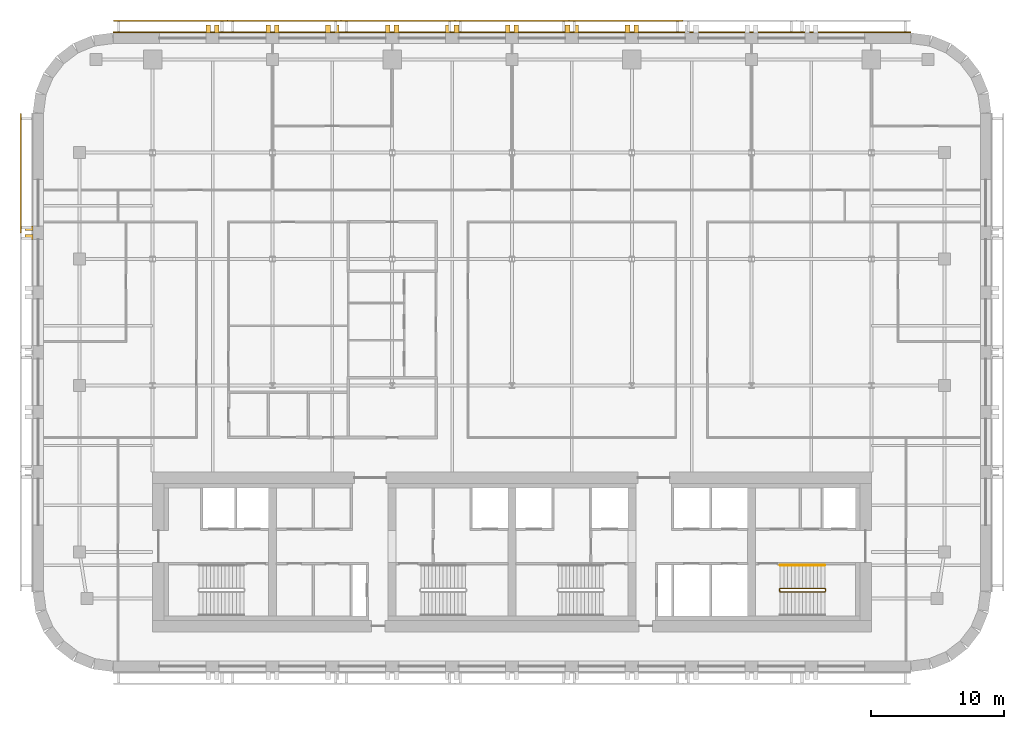
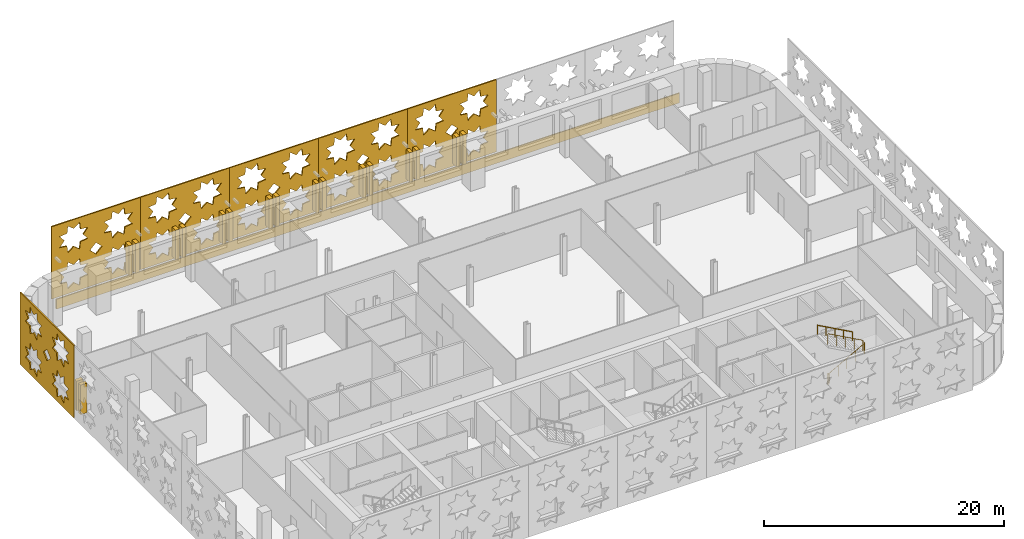
# One storey, part 12 of 13: 25 coverings, 2 railings.
"""IFC4 building model written with IfcOpenShell, lengths in metres."""

from ifc_helpers import new_model, si_unit, direction, frame, origin, origin_2d, place, context, subcontext, project, spatial, polyline, circle, outline, extrude, material, layer, layer_set, type_object, element, save


model = new_model("IFC4")

# Units and contexts
model_context = context("Model", 3, precision=1e-05, world=origin(), true_north=direction((0.0, 1.0)))
body_context = subcontext(model_context, "Body", "Model", "MODEL_VIEW")
ifc_project = project(units=[si_unit("LENGTHUNIT", "METRE"), si_unit("AREAUNIT", "SQUARE_METRE"), si_unit("VOLUMEUNIT", "CUBIC_METRE"), si_unit("PLANEANGLEUNIT", "RADIAN"), si_unit("MASSUNIT", "GRAM", prefix="KILO")], contexts=[model_context])

# Site, building, storey
site_placement = place(None, origin())
site = spatial("IfcSite", under=ifc_project, at=site_placement, CompositionType="ELEMENT")
building_placement = place(site_placement, origin())
building = spatial("IfcBuilding", under=site, at=building_placement, Name="Zellij Exchange Tower", CompositionType="ELEMENT")
storey_placement = place(building_placement, frame((0.0, 0.0, 172.5)))
storey = spatial("IfcBuildingStorey", under=building, at=storey_placement, Name="L39", CompositionType="ELEMENT", Elevation=172.5)

# Railings
ifc_material_1 = material(Name="Stainless steel", Category="steel")
railing_type_1 = type_object("IfcRailingType", Name="CORE-RG stair guard", PredefinedType="GUARDRAIL", material=ifc_material_1)
railing_1_placement = place(storey_placement, frame((20.10009765625, -10.949951171875, 0.0)))
element("IfcRailing", 1, at=railing_1_placement, inside=storey, type_object=railing_type_1, Name="ST4 stair guard L39", PredefinedType="GUARDRAIL", context=body_context, shape_type="SweptSolid", body=[
    extrude(circle(Radius=0.02392578125, at=origin_2d()), frame((0.0, 0.0, 1.076171875), z_axis=(0.0, 1.0, 0.0), x_axis=(-1.0, 0.0, 0.0)), (0.0, 0.0, 1.0), 0.14990234375),
    extrude(circle(Radius=0.02392578125, at=origin_2d()), frame((0.0, 0.14990234375, 1.076171875), z_axis=(0.193691321961, -0.777613689637, 0.598164376644), x_axis=(0.970351222016, 0.241699205484, 0.0)), (0.0, 0.0, 1.0), 0.257080078125),
    extrude(circle(Radius=0.02392578125, at=origin_2d()), frame((0.0498046875, -0.050048828125, 1.22998046875), z_axis=(0.876421534553, 0.0, 0.481544695509), x_axis=(0.0, 1.0, 0.0)), (0.0, 0.0, 1.0), 3.833984375),
    extrude(circle(Radius=0.02392578125, at=origin_2d()), frame((3.409912109375, -0.050048828125, 3.076171875), z_axis=(0.707106781187, 0.707106781187, 0.0), x_axis=(-0.707106781187, 0.707106781187, 0.0)), (0.0, 0.0, 1.0), 0.07080078125),
    extrude(circle(Radius=0.02392578125, at=origin_2d()), frame((3.4599609375, 0.0, 3.076171875), z_axis=(0.0, 1.0, 0.0), x_axis=(-1.0, 0.0, 0.0)), (0.0, 0.0, 1.0), 0.14990234375),
    extrude(circle(Radius=0.02392578125, at=origin_2d()), frame((3.4599609375, 0.14990234375, 3.076171875), z_axis=(-0.295599637079, 0.295599637079, 0.908428152975), x_axis=(-0.707106781187, -0.707106781187, 0.0)), (0.0, 0.0, 1.0), 0.16943359375),
    extrude(circle(Radius=0.02392578125, at=origin_2d()), frame((3.409912109375, 0.199951171875, 3.22998046875), z_axis=(-0.876421534553, 0.0, 0.481544695509), x_axis=(0.0, -1.0, 0.0)), (0.0, 0.0, 1.0), 3.833984375),
    extrude(circle(Radius=0.02099609375, at=origin_2d()), origin(), (0.0, 0.0, 1.0), 1.052001953125),
    extrude(circle(Radius=0.02099609375, at=origin_2d()), frame((0.0, 0.14990234375, 0.0)), (0.0, 0.0, 1.0), 1.052001953125),
    extrude(circle(Radius=0.02099609375, at=origin_2d()), frame((0.0498046875, -0.050048828125, 0.15380859375)), (0.0, 0.0, 1.0), 1.052001953125),
    extrude(circle(Radius=0.02099609375, at=origin_2d()), frame((0.889892578125, -0.050048828125, 0.615234375)), (0.0, 0.0, 1.0), 1.052001953125),
    extrude(circle(Radius=0.02099609375, at=origin_2d()), frame((1.72998046875, -0.050048828125, 1.076904296875)), (0.0, 0.0, 1.0), 1.052001953125),
    extrude(circle(Radius=0.02099609375, at=origin_2d()), frame((2.56982421875, -0.050048828125, 1.53857421875)), (0.0, 0.0, 1.0), 1.052001953125),
    extrude(circle(Radius=0.02099609375, at=origin_2d()), frame((3.409912109375, -0.050048828125, 2.0)), (0.0, 0.0, 1.0), 1.052001953125),
    extrude(circle(Radius=0.02099609375, at=origin_2d()), frame((3.4599609375, 0.0, 2.0)), (0.0, 0.0, 1.0), 1.052001953125),
    extrude(circle(Radius=0.02099609375, at=origin_2d()), frame((3.4599609375, 0.14990234375, 2.0)), (0.0, 0.0, 1.0), 1.052001953125),
    extrude(circle(Radius=0.02099609375, at=origin_2d()), frame((3.409912109375, 0.199951171875, 2.15380859375)), (0.0, 0.0, 1.0), 1.052001953125),
    extrude(circle(Radius=0.02099609375, at=origin_2d()), frame((2.56982421875, 0.199951171875, 2.615234375)), (0.0, 0.0, 1.0), 1.052001953125),
    extrude(circle(Radius=0.02099609375, at=origin_2d()), frame((1.72998046875, 0.199951171875, 3.076904296875)), (0.0, 0.0, 1.0), 1.052001953125),
    extrude(circle(Radius=0.02099609375, at=origin_2d()), frame((0.889892578125, 0.199951171875, 3.53857421875)), (0.0, 0.0, 1.0), 1.052001953125),
    extrude(circle(Radius=0.02099609375, at=origin_2d()), frame((0.0498046875, 0.199951171875, 4.0)), (0.0, 0.0, 1.0), 1.052001953125),
])
railing_type_2 = type_object("IfcRailingType", Name="CORE-RH stair handrail", PredefinedType="HANDRAIL", material=ifc_material_1)
railing_2_placement = place(storey_placement, frame((23.510009765625, -9.0, 2.15380859375)))
element("IfcRailing", 2, at=railing_2_placement, inside=storey, type_object=railing_type_2, Name="ST4 stair handrail L39", PredefinedType="HANDRAIL", context=body_context, shape_type="SweptSolid", body=[
    extrude(circle(Radius=0.02392578125, at=origin_2d()), frame((0.0, 0.0, 0.8759765625), z_axis=(-0.876421534553, 0.0, 0.481544695509), x_axis=(0.0, -1.0, 0.0)), (0.0, 0.0, 1.0), 3.833984375),
    extrude(circle(Radius=0.02099609375, at=origin_2d()), origin(), (0.0, 0.0, 1.0), 0.851806640625),
    extrude(circle(Radius=0.02099609375, at=origin_2d()), frame((-0.840087890625, 0.0, 0.46142578125)), (0.0, 0.0, 1.0), 0.851806640625),
    extrude(circle(Radius=0.02099609375, at=origin_2d()), frame((-1.68017578125, 0.0, 0.923095703125)), (0.0, 0.0, 1.0), 0.851806640625),
    extrude(circle(Radius=0.02099609375, at=origin_2d()), frame((-2.52001953125, 0.0, 1.384765625)), (0.0, 0.0, 1.0), 0.851806640625),
    extrude(circle(Radius=0.02099609375, at=origin_2d()), frame((-3.360107421875, 0.0, 1.84619140625)), (0.0, 0.0, 1.0), 0.851806640625),
])

# Coverings
ifc_material_2 = material(Name="Limestone cladding", Category="masonry")
covering_type_1 = type_object("IfcCoveringType", Name="ENV-CV3 Stone pier 350x600", PredefinedType="CLADDING", material=ifc_material_2)
covering_1_placement = place(storey_placement, frame((0.0, 0.0, 0.800048828125)))
element("IfcCovering", 3, at=covering_1_placement, inside=storey, type_object=covering_type_1, Name="Stone pier", PredefinedType="CLADDING", context=body_context, shape_type="SweptSolid", body=[
    extrude(outline(polyline([(9.5, 31.0), (9.14990234375, 31.0), (9.14990234375, 31.60009765625), (9.5, 31.60009765625), (9.5, 31.0)])), origin(), (0.0, 0.0, 1.0), 3.0),
])
covering_2_placement = place(storey_placement, frame((0.0, 0.0, 0.800048828125)))
element("IfcCovering", 4, at=covering_2_placement, inside=storey, type_object=covering_type_1, Name="Stone pier", PredefinedType="CLADDING", context=body_context, shape_type="SweptSolid", body=[
    extrude(outline(polyline([(8.85009765625, 31.0), (8.5, 31.0), (8.5, 31.60009765625), (8.85009765625, 31.60009765625), (8.85009765625, 31.0)])), origin(), (0.0, 0.0, 1.0), 3.0),
])
covering_3_placement = place(storey_placement, frame((0.0, 0.0, 0.800048828125)))
element("IfcCovering", 5, at=covering_3_placement, inside=storey, type_object=covering_type_1, Name="Stone pier", PredefinedType="CLADDING", context=body_context, shape_type="SweptSolid", body=[
    extrude(outline(polyline([(5.0, 31.0), (4.64990234375, 31.0), (4.64990234375, 31.60009765625), (5.0, 31.60009765625), (5.0, 31.0)])), origin(), (0.0, 0.0, 1.0), 3.0),
])
covering_4_placement = place(storey_placement, frame((0.0, 0.0, 0.800048828125)))
element("IfcCovering", 6, at=covering_4_placement, inside=storey, type_object=covering_type_1, Name="Stone pier", PredefinedType="CLADDING", context=body_context, shape_type="SweptSolid", body=[
    extrude(outline(polyline([(4.35009765625, 31.0), (4.0, 31.0), (4.0, 31.60009765625), (4.35009765625, 31.60009765625), (4.35009765625, 31.0)])), origin(), (0.0, 0.0, 1.0), 3.0),
])
covering_5_placement = place(storey_placement, frame((0.0, 0.0, 0.800048828125)))
element("IfcCovering", 7, at=covering_5_placement, inside=storey, type_object=covering_type_1, Name="Stone pier", PredefinedType="CLADDING", context=body_context, shape_type="SweptSolid", body=[
    extrude(outline(polyline([(0.5, 31.0), (0.14990234375, 31.0), (0.14990234375, 31.60009765625), (0.5, 31.60009765625), (0.5, 31.0)])), origin(), (0.0, 0.0, 1.0), 3.0),
])
covering_6_placement = place(storey_placement, frame((0.0, 0.0, 0.800048828125)))
element("IfcCovering", 8, at=covering_6_placement, inside=storey, type_object=covering_type_1, Name="Stone pier", PredefinedType="CLADDING", context=body_context, shape_type="SweptSolid", body=[
    extrude(outline(polyline([(-0.14990234375, 31.0), (-0.5, 31.0), (-0.5, 31.60009765625), (-0.14990234375, 31.60009765625), (-0.14990234375, 31.0)])), origin(), (0.0, 0.0, 1.0), 3.0),
])
covering_7_placement = place(storey_placement, frame((0.0, 0.0, 0.800048828125)))
element("IfcCovering", 9, at=covering_7_placement, inside=storey, type_object=covering_type_1, Name="Stone pier", PredefinedType="CLADDING", context=body_context, shape_type="SweptSolid", body=[
    extrude(outline(polyline([(-4.0, 31.0), (-4.35009765625, 31.0), (-4.35009765625, 31.60009765625), (-4.0, 31.60009765625), (-4.0, 31.0)])), origin(), (0.0, 0.0, 1.0), 3.0),
])
covering_8_placement = place(storey_placement, frame((0.0, 0.0, 0.800048828125)))
element("IfcCovering", 10, at=covering_8_placement, inside=storey, type_object=covering_type_1, Name="Stone pier", PredefinedType="CLADDING", context=body_context, shape_type="SweptSolid", body=[
    extrude(outline(polyline([(-4.64990234375, 31.0), (-5.0, 31.0), (-5.0, 31.60009765625), (-4.64990234375, 31.60009765625), (-4.64990234375, 31.0)])), origin(), (0.0, 0.0, 1.0), 3.0),
])
covering_9_placement = place(storey_placement, frame((0.0, 0.0, 0.800048828125)))
element("IfcCovering", 11, at=covering_9_placement, inside=storey, type_object=covering_type_1, Name="Stone pier", PredefinedType="CLADDING", context=body_context, shape_type="SweptSolid", body=[
    extrude(outline(polyline([(-8.5, 31.0), (-8.85009765625, 31.0), (-8.85009765625, 31.60009765625), (-8.5, 31.60009765625), (-8.5, 31.0)])), origin(), (0.0, 0.0, 1.0), 3.0),
])
covering_10_placement = place(storey_placement, frame((0.0, 0.0, 0.800048828125)))
element("IfcCovering", 12, at=covering_10_placement, inside=storey, type_object=covering_type_1, Name="Stone pier", PredefinedType="CLADDING", context=body_context, shape_type="SweptSolid", body=[
    extrude(outline(polyline([(-9.14990234375, 31.0), (-9.5, 31.0), (-9.5, 31.60009765625), (-9.14990234375, 31.60009765625), (-9.14990234375, 31.0)])), origin(), (0.0, 0.0, 1.0), 3.0),
])
covering_11_placement = place(storey_placement, frame((0.0, 0.0, 0.800048828125)))
element("IfcCovering", 13, at=covering_11_placement, inside=storey, type_object=covering_type_1, Name="Stone pier", PredefinedType="CLADDING", context=body_context, shape_type="SweptSolid", body=[
    extrude(outline(polyline([(-13.0, 31.0), (-13.35009765625, 31.0), (-13.35009765625, 31.60009765625), (-13.0, 31.60009765625), (-13.0, 31.0)])), origin(), (0.0, 0.0, 1.0), 3.0),
])
covering_12_placement = place(storey_placement, frame((0.0, 0.0, 0.800048828125)))
element("IfcCovering", 14, at=covering_12_placement, inside=storey, type_object=covering_type_1, Name="Stone pier", PredefinedType="CLADDING", context=body_context, shape_type="SweptSolid", body=[
    extrude(outline(polyline([(-13.64990234375, 31.0), (-14.0, 31.0), (-14.0, 31.60009765625), (-13.64990234375, 31.60009765625), (-13.64990234375, 31.0)])), origin(), (0.0, 0.0, 1.0), 3.0),
])
covering_13_placement = place(storey_placement, frame((0.0, 0.0, 0.800048828125)))
element("IfcCovering", 15, at=covering_13_placement, inside=storey, type_object=covering_type_1, Name="Stone pier", PredefinedType="CLADDING", context=body_context, shape_type="SweptSolid", body=[
    extrude(outline(polyline([(-17.5, 31.0), (-17.85009765625, 31.0), (-17.85009765625, 31.60009765625), (-17.5, 31.60009765625), (-17.5, 31.0)])), origin(), (0.0, 0.0, 1.0), 3.0),
])
covering_14_placement = place(storey_placement, frame((0.0, 0.0, 0.800048828125)))
element("IfcCovering", 16, at=covering_14_placement, inside=storey, type_object=covering_type_1, Name="Stone pier", PredefinedType="CLADDING", context=body_context, shape_type="SweptSolid", body=[
    extrude(outline(polyline([(-18.14990234375, 31.0), (-18.5, 31.0), (-18.5, 31.60009765625), (-18.14990234375, 31.60009765625), (-18.14990234375, 31.0)])), origin(), (0.0, 0.0, 1.0), 3.0),
])
covering_15_placement = place(storey_placement, frame((0.0, 0.0, 0.800048828125)))
element("IfcCovering", 17, at=covering_15_placement, inside=storey, type_object=covering_type_1, Name="Stone pier", PredefinedType="CLADDING", context=body_context, shape_type="SweptSolid", body=[
    extrude(outline(polyline([(-22.0, 31.0), (-22.35009765625, 31.0), (-22.35009765625, 31.60009765625), (-22.0, 31.60009765625), (-22.0, 31.0)])), origin(), (0.0, 0.0, 1.0), 3.0),
])
covering_16_placement = place(storey_placement, frame((0.0, 0.0, 0.800048828125)))
element("IfcCovering", 18, at=covering_16_placement, inside=storey, type_object=covering_type_1, Name="Stone pier", PredefinedType="CLADDING", context=body_context, shape_type="SweptSolid", body=[
    extrude(outline(polyline([(-22.64990234375, 31.0), (-23.0, 31.0), (-23.0, 31.60009765625), (-22.64990234375, 31.60009765625), (-22.64990234375, 31.0)])), origin(), (0.0, 0.0, 1.0), 3.0),
])
covering_17_placement = place(storey_placement, frame((0.0, 0.0, 0.800048828125)))
element("IfcCovering", 19, at=covering_17_placement, inside=storey, type_object=covering_type_1, Name="Stone pier", PredefinedType="CLADDING", context=body_context, shape_type="SweptSolid", body=[
    extrude(outline(polyline([(-36.0, 16.48681640625), (-36.0, 16.136962890625), (-36.60009765625, 16.136962890625), (-36.60009765625, 16.48681640625), (-36.0, 16.48681640625)])), origin(), (0.0, 0.0, 1.0), 3.0),
])
covering_18_placement = place(storey_placement, frame((0.0, 0.0, 0.800048828125)))
element("IfcCovering", 20, at=covering_18_placement, inside=storey, type_object=covering_type_1, Name="Stone pier", PredefinedType="CLADDING", context=body_context, shape_type="SweptSolid", body=[
    extrude(outline(polyline([(-36.0, 15.8369140625), (-36.0, 15.48681640625), (-36.60009765625, 15.48681640625), (-36.60009765625, 15.8369140625), (-36.0, 15.8369140625)])), origin(), (0.0, 0.0, 1.0), 3.0),
])
ifc_layer_1 = layer(ifc_material_2, 0.10009765625)
ifc_layer_set_1 = layer_set([ifc_layer_1], Name="Limestone cladding")
covering_type_2 = type_object("IfcCoveringType", Name="ENV-CV9 Stone spandrel band 100", PredefinedType="CLADDING", material=ifc_layer_set_1)
covering_19_placement = place(storey_placement, frame((0.0, 0.0, -0.199951171875)))
element("IfcCovering", 21, at=covering_19_placement, inside=storey, type_object=covering_type_2, Name="Stone spandrel band", PredefinedType="CLADDING", context=body_context, shape_type="SweptSolid", body=[
    extrude(outline(polyline([(29.973876953125, 31.0), (-29.973876953125, 31.0), (-29.980224609375, 31.10009765625), (29.980224609375, 31.10009765625), (29.973876953125, 31.0)])), origin(), (0.0, 0.0, 1.0), 1.0),
])
ifc_material_3 = material(Name="Limestone screen", Category="masonry")
ifc_layer_2 = layer(ifc_material_3, 0.1201171875)
ifc_layer_set_2 = layer_set([ifc_layer_2], Name="Limestone screen")
covering_type_3 = type_object("IfcCoveringType", Name="ENV-SC1 Pierced stone screen 120", PredefinedType="USERDEFINED", material=ifc_layer_set_2)
covering_20_placement = place(storey_placement, frame((-36.909912109375, 24.947509765625, 0.300048828125), z_axis=(0.0, 0.0, 1.0), x_axis=(0.0, -1.0, 0.0)))
element("IfcCovering", 22, at=covering_20_placement, inside=storey, type_object=covering_type_3, Name="Pierced stone screen", ObjectType="SCREEN", PredefinedType="USERDEFINED", context=body_context, shape_type="SweptSolid", body=[
    extrude(outline(polyline([(0.0, 0.0), (8.973876953125, 0.0), (8.973876953125, 7.35009765625), (0.0, 7.35009765625), (0.0, 0.0)]), holes=[polyline([(3.6015625, 2.39990234375), (2.887939453125, 2.48193359375), (2.805908203125, 3.195556640625), (2.243408203125, 2.748779296875), (1.680908203125, 3.195556640625), (1.59912109375, 2.48193359375), (0.88525390625, 2.39990234375), (1.33203125, 1.83740234375), (0.88525390625, 1.27490234375), (1.59912109375, 1.193115234375), (1.680908203125, 0.4794921875), (2.243408203125, 0.926025390625), (2.805908203125, 0.4794921875), (2.887939453125, 1.193115234375), (3.6015625, 1.27490234375), (3.15478515625, 1.83740234375), (3.6015625, 2.39990234375)]), polyline([(3.6015625, 6.074951171875), (2.887939453125, 6.156982421875), (2.805908203125, 6.87060546875), (2.243408203125, 6.423828125), (1.680908203125, 6.87060546875), (1.59912109375, 6.156982421875), (0.88525390625, 6.074951171875), (1.33203125, 5.512451171875), (0.88525390625, 4.949951171875), (1.59912109375, 4.867919921875), (1.680908203125, 4.154296875), (2.243408203125, 4.60107421875), (2.805908203125, 4.154296875), (2.887939453125, 4.867919921875), (3.6015625, 4.949951171875), (3.15478515625, 5.512451171875), (3.6015625, 6.074951171875)]), polyline([(8.08837890625, 2.39990234375), (7.374755859375, 2.48193359375), (7.29296875, 3.195556640625), (6.730224609375, 2.748779296875), (6.167724609375, 3.195556640625), (6.0859375, 2.48193359375), (5.372314453125, 2.39990234375), (5.81884765625, 1.83740234375), (5.372314453125, 1.27490234375), (6.0859375, 1.193115234375), (6.167724609375, 0.4794921875), (6.730224609375, 0.926025390625), (7.29296875, 0.4794921875), (7.374755859375, 1.193115234375), (8.08837890625, 1.27490234375), (7.6416015625, 1.83740234375), (8.08837890625, 2.39990234375)]), polyline([(8.08837890625, 6.074951171875), (7.374755859375, 6.156982421875), (7.29296875, 6.87060546875), (6.730224609375, 6.423828125), (6.167724609375, 6.87060546875), (6.0859375, 6.156982421875), (5.372314453125, 6.074951171875), (5.81884765625, 5.512451171875), (5.372314453125, 4.949951171875), (6.0859375, 4.867919921875), (6.167724609375, 4.154296875), (6.730224609375, 4.60107421875), (7.29296875, 4.154296875), (7.374755859375, 4.867919921875), (8.08837890625, 4.949951171875), (7.6416015625, 5.512451171875), (8.08837890625, 6.074951171875)]), polyline([(5.074951171875, 3.675048828125), (4.48681640625, 4.262939453125), (3.89892578125, 3.675048828125), (4.48681640625, 3.0869140625), (5.074951171875, 3.675048828125)])]), frame((0.0, 0.06005859375, 0.0), z_axis=(0.0, -1.0, 0.0), x_axis=(1.0, 0.0, 0.0)), (0.0, 0.0, 1.0), 0.1201171875),
])
covering_21_placement = place(storey_placement, frame((12.834716796875, 31.909912109375, 0.300048828125), z_axis=(0.0, 0.0, 1.0), x_axis=(-1.0, 0.0, 0.0)))
element("IfcCovering", 23, at=covering_21_placement, inside=storey, type_object=covering_type_3, Name="Pierced stone screen", ObjectType="SCREEN", PredefinedType="USERDEFINED", context=body_context, shape_type="SweptSolid", body=[
    extrude(outline(polyline([(0.0, 0.0), (8.556396484375, 0.0), (8.556396484375, 7.35009765625), (0.0, 7.35009765625), (0.0, 0.0)]), holes=[polyline([(3.497314453125, 2.39990234375), (2.78369140625, 2.48193359375), (2.70166015625, 3.195556640625), (2.13916015625, 2.748779296875), (1.57666015625, 3.195556640625), (1.49462890625, 2.48193359375), (0.781005859375, 2.39990234375), (1.227783203125, 1.83740234375), (0.781005859375, 1.27490234375), (1.49462890625, 1.193115234375), (1.57666015625, 0.4794921875), (2.13916015625, 0.926025390625), (2.70166015625, 0.4794921875), (2.78369140625, 1.193115234375), (3.497314453125, 1.27490234375), (3.050537109375, 1.83740234375), (3.497314453125, 2.39990234375)]), polyline([(3.497314453125, 6.074951171875), (2.78369140625, 6.156982421875), (2.70166015625, 6.87060546875), (2.13916015625, 6.423828125), (1.57666015625, 6.87060546875), (1.49462890625, 6.156982421875), (0.781005859375, 6.074951171875), (1.227783203125, 5.512451171875), (0.781005859375, 4.949951171875), (1.49462890625, 4.867919921875), (1.57666015625, 4.154296875), (2.13916015625, 4.60107421875), (2.70166015625, 4.154296875), (2.78369140625, 4.867919921875), (3.497314453125, 4.949951171875), (3.050537109375, 5.512451171875), (3.497314453125, 6.074951171875)]), polyline([(7.775390625, 2.39990234375), (7.061767578125, 2.48193359375), (6.97998046875, 3.195556640625), (6.417236328125, 2.748779296875), (5.854736328125, 3.195556640625), (5.77294921875, 2.48193359375), (5.05908203125, 2.39990234375), (5.505859375, 1.83740234375), (5.05908203125, 1.27490234375), (5.77294921875, 1.193115234375), (5.854736328125, 0.4794921875), (6.417236328125, 0.926025390625), (6.97998046875, 0.4794921875), (7.061767578125, 1.193115234375), (7.775390625, 1.27490234375), (7.32861328125, 1.83740234375), (7.775390625, 2.39990234375)]), polyline([(7.775390625, 6.074951171875), (7.061767578125, 6.156982421875), (6.97998046875, 6.87060546875), (6.417236328125, 6.423828125), (5.854736328125, 6.87060546875), (5.77294921875, 6.156982421875), (5.05908203125, 6.074951171875), (5.505859375, 5.512451171875), (5.05908203125, 4.949951171875), (5.77294921875, 4.867919921875), (5.854736328125, 4.154296875), (6.417236328125, 4.60107421875), (6.97998046875, 4.154296875), (7.061767578125, 4.867919921875), (7.775390625, 4.949951171875), (7.32861328125, 5.512451171875), (7.775390625, 6.074951171875)]), polyline([(4.8662109375, 3.675048828125), (4.2783203125, 4.262939453125), (3.690185546875, 3.675048828125), (4.2783203125, 3.0869140625), (4.8662109375, 3.675048828125)])]), frame((0.0, 0.06005859375, 0.0), z_axis=(0.0, -1.0, 0.0), x_axis=(1.0, 0.0, 0.0)), (0.0, 0.0, 1.0), 0.1201171875),
])
covering_22_placement = place(storey_placement, frame((4.2783203125, 31.909912109375, 0.300048828125), z_axis=(0.0, 0.0, 1.0), x_axis=(-1.0, 0.0, 0.0)))
element("IfcCovering", 24, at=covering_22_placement, inside=storey, type_object=covering_type_3, Name="Pierced stone screen", ObjectType="SCREEN", PredefinedType="USERDEFINED", context=body_context, shape_type="SweptSolid", body=[
    extrude(outline(polyline([(0.0, 0.0), (8.556396484375, 0.0), (8.556396484375, 7.35009765625), (0.0, 7.35009765625), (0.0, 0.0)]), holes=[polyline([(3.497314453125, 2.39990234375), (2.78369140625, 2.48193359375), (2.70166015625, 3.195556640625), (2.13916015625, 2.748779296875), (1.57666015625, 3.195556640625), (1.49462890625, 2.48193359375), (0.781005859375, 2.39990234375), (1.227783203125, 1.83740234375), (0.781005859375, 1.27490234375), (1.49462890625, 1.193115234375), (1.57666015625, 0.4794921875), (2.13916015625, 0.926025390625), (2.70166015625, 0.4794921875), (2.78369140625, 1.193115234375), (3.497314453125, 1.27490234375), (3.050537109375, 1.83740234375), (3.497314453125, 2.39990234375)]), polyline([(3.497314453125, 6.074951171875), (2.78369140625, 6.156982421875), (2.70166015625, 6.87060546875), (2.13916015625, 6.423828125), (1.57666015625, 6.87060546875), (1.49462890625, 6.156982421875), (0.781005859375, 6.074951171875), (1.227783203125, 5.512451171875), (0.781005859375, 4.949951171875), (1.49462890625, 4.867919921875), (1.57666015625, 4.154296875), (2.13916015625, 4.60107421875), (2.70166015625, 4.154296875), (2.78369140625, 4.867919921875), (3.497314453125, 4.949951171875), (3.050537109375, 5.512451171875), (3.497314453125, 6.074951171875)]), polyline([(7.775390625, 2.39990234375), (7.061767578125, 2.48193359375), (6.97998046875, 3.195556640625), (6.417236328125, 2.748779296875), (5.854736328125, 3.195556640625), (5.77294921875, 2.48193359375), (5.05908203125, 2.39990234375), (5.505859375, 1.83740234375), (5.05908203125, 1.27490234375), (5.77294921875, 1.193115234375), (5.854736328125, 0.4794921875), (6.417236328125, 0.926025390625), (6.97998046875, 0.4794921875), (7.061767578125, 1.193115234375), (7.775390625, 1.27490234375), (7.32861328125, 1.83740234375), (7.775390625, 2.39990234375)]), polyline([(7.775390625, 6.074951171875), (7.061767578125, 6.156982421875), (6.97998046875, 6.87060546875), (6.417236328125, 6.423828125), (5.854736328125, 6.87060546875), (5.77294921875, 6.156982421875), (5.05908203125, 6.074951171875), (5.505859375, 5.512451171875), (5.05908203125, 4.949951171875), (5.77294921875, 4.867919921875), (5.854736328125, 4.154296875), (6.417236328125, 4.60107421875), (6.97998046875, 4.154296875), (7.061767578125, 4.867919921875), (7.775390625, 4.949951171875), (7.32861328125, 5.512451171875), (7.775390625, 6.074951171875)]), polyline([(4.8662109375, 3.675048828125), (4.2783203125, 4.262939453125), (3.690185546875, 3.675048828125), (4.2783203125, 3.0869140625), (4.8662109375, 3.675048828125)])]), frame((0.0, 0.06005859375, 0.0), z_axis=(0.0, -1.0, 0.0), x_axis=(1.0, 0.0, 0.0)), (0.0, 0.0, 1.0), 0.1201171875),
])
covering_23_placement = place(storey_placement, frame((-4.2783203125, 31.909912109375, 0.300048828125), z_axis=(0.0, 0.0, 1.0), x_axis=(-1.0, 0.0, 0.0)))
element("IfcCovering", 25, at=covering_23_placement, inside=storey, type_object=covering_type_3, Name="Pierced stone screen", ObjectType="SCREEN", PredefinedType="USERDEFINED", context=body_context, shape_type="SweptSolid", body=[
    extrude(outline(polyline([(0.0, 0.0), (8.556396484375, 0.0), (8.556396484375, 7.35009765625), (0.0, 7.35009765625), (0.0, 0.0)]), holes=[polyline([(3.497314453125, 2.39990234375), (2.78369140625, 2.48193359375), (2.70166015625, 3.195556640625), (2.13916015625, 2.748779296875), (1.57666015625, 3.195556640625), (1.49462890625, 2.48193359375), (0.781005859375, 2.39990234375), (1.227783203125, 1.83740234375), (0.781005859375, 1.27490234375), (1.49462890625, 1.193115234375), (1.57666015625, 0.4794921875), (2.13916015625, 0.926025390625), (2.70166015625, 0.4794921875), (2.78369140625, 1.193115234375), (3.497314453125, 1.27490234375), (3.050537109375, 1.83740234375), (3.497314453125, 2.39990234375)]), polyline([(3.497314453125, 6.074951171875), (2.78369140625, 6.156982421875), (2.70166015625, 6.87060546875), (2.13916015625, 6.423828125), (1.57666015625, 6.87060546875), (1.49462890625, 6.156982421875), (0.781005859375, 6.074951171875), (1.227783203125, 5.512451171875), (0.781005859375, 4.949951171875), (1.49462890625, 4.867919921875), (1.57666015625, 4.154296875), (2.13916015625, 4.60107421875), (2.70166015625, 4.154296875), (2.78369140625, 4.867919921875), (3.497314453125, 4.949951171875), (3.050537109375, 5.512451171875), (3.497314453125, 6.074951171875)]), polyline([(7.775390625, 2.39990234375), (7.061767578125, 2.48193359375), (6.97998046875, 3.195556640625), (6.417236328125, 2.748779296875), (5.854736328125, 3.195556640625), (5.77294921875, 2.48193359375), (5.05908203125, 2.39990234375), (5.505859375, 1.83740234375), (5.05908203125, 1.27490234375), (5.77294921875, 1.193115234375), (5.854736328125, 0.4794921875), (6.417236328125, 0.926025390625), (6.97998046875, 0.4794921875), (7.061767578125, 1.193115234375), (7.775390625, 1.27490234375), (7.32861328125, 1.83740234375), (7.775390625, 2.39990234375)]), polyline([(7.775390625, 6.074951171875), (7.061767578125, 6.156982421875), (6.97998046875, 6.87060546875), (6.417236328125, 6.423828125), (5.854736328125, 6.87060546875), (5.77294921875, 6.156982421875), (5.05908203125, 6.074951171875), (5.505859375, 5.512451171875), (5.05908203125, 4.949951171875), (5.77294921875, 4.867919921875), (5.854736328125, 4.154296875), (6.417236328125, 4.60107421875), (6.97998046875, 4.154296875), (7.061767578125, 4.867919921875), (7.775390625, 4.949951171875), (7.32861328125, 5.512451171875), (7.775390625, 6.074951171875)]), polyline([(4.8662109375, 3.675048828125), (4.2783203125, 4.262939453125), (3.690185546875, 3.675048828125), (4.2783203125, 3.0869140625), (4.8662109375, 3.675048828125)])]), frame((0.0, 0.06005859375, 0.0), z_axis=(0.0, -1.0, 0.0), x_axis=(1.0, 0.0, 0.0)), (0.0, 0.0, 1.0), 0.1201171875),
])
covering_24_placement = place(storey_placement, frame((-12.834716796875, 31.909912109375, 0.300048828125), z_axis=(0.0, 0.0, 1.0), x_axis=(-1.0, 0.0, 0.0)))
element("IfcCovering", 26, at=covering_24_placement, inside=storey, type_object=covering_type_3, Name="Pierced stone screen", ObjectType="SCREEN", PredefinedType="USERDEFINED", context=body_context, shape_type="SweptSolid", body=[
    extrude(outline(polyline([(0.0, 0.0), (8.556396484375, 0.0), (8.556396484375, 7.35009765625), (0.0, 7.35009765625), (0.0, 0.0)]), holes=[polyline([(3.497314453125, 2.39990234375), (2.78369140625, 2.48193359375), (2.70166015625, 3.195556640625), (2.13916015625, 2.748779296875), (1.57666015625, 3.195556640625), (1.49462890625, 2.48193359375), (0.781005859375, 2.39990234375), (1.227783203125, 1.83740234375), (0.781005859375, 1.27490234375), (1.49462890625, 1.193115234375), (1.57666015625, 0.4794921875), (2.13916015625, 0.926025390625), (2.70166015625, 0.4794921875), (2.78369140625, 1.193115234375), (3.497314453125, 1.27490234375), (3.050537109375, 1.83740234375), (3.497314453125, 2.39990234375)]), polyline([(3.497314453125, 6.074951171875), (2.78369140625, 6.156982421875), (2.70166015625, 6.87060546875), (2.13916015625, 6.423828125), (1.57666015625, 6.87060546875), (1.49462890625, 6.156982421875), (0.781005859375, 6.074951171875), (1.227783203125, 5.512451171875), (0.781005859375, 4.949951171875), (1.49462890625, 4.867919921875), (1.57666015625, 4.154296875), (2.13916015625, 4.60107421875), (2.70166015625, 4.154296875), (2.78369140625, 4.867919921875), (3.497314453125, 4.949951171875), (3.050537109375, 5.512451171875), (3.497314453125, 6.074951171875)]), polyline([(7.775390625, 2.39990234375), (7.061767578125, 2.48193359375), (6.97998046875, 3.195556640625), (6.417236328125, 2.748779296875), (5.854736328125, 3.195556640625), (5.77294921875, 2.48193359375), (5.05908203125, 2.39990234375), (5.505859375, 1.83740234375), (5.05908203125, 1.27490234375), (5.77294921875, 1.193115234375), (5.854736328125, 0.4794921875), (6.417236328125, 0.926025390625), (6.97998046875, 0.4794921875), (7.061767578125, 1.193115234375), (7.775390625, 1.27490234375), (7.32861328125, 1.83740234375), (7.775390625, 2.39990234375)]), polyline([(7.775390625, 6.074951171875), (7.061767578125, 6.156982421875), (6.97998046875, 6.87060546875), (6.417236328125, 6.423828125), (5.854736328125, 6.87060546875), (5.77294921875, 6.156982421875), (5.05908203125, 6.074951171875), (5.505859375, 5.512451171875), (5.05908203125, 4.949951171875), (5.77294921875, 4.867919921875), (5.854736328125, 4.154296875), (6.417236328125, 4.60107421875), (6.97998046875, 4.154296875), (7.061767578125, 4.867919921875), (7.775390625, 4.949951171875), (7.32861328125, 5.512451171875), (7.775390625, 6.074951171875)]), polyline([(4.8662109375, 3.675048828125), (4.2783203125, 4.262939453125), (3.690185546875, 3.675048828125), (4.2783203125, 3.0869140625), (4.8662109375, 3.675048828125)])]), frame((0.0, 0.06005859375, 0.0), z_axis=(0.0, -1.0, 0.0), x_axis=(1.0, 0.0, 0.0)), (0.0, 0.0, 1.0), 0.1201171875),
])
covering_25_placement = place(storey_placement, frame((-21.39111328125, 31.909912109375, 0.300048828125), z_axis=(0.0, 0.0, 1.0), x_axis=(-1.0, 0.0, 0.0)))
element("IfcCovering", 27, at=covering_25_placement, inside=storey, type_object=covering_type_3, Name="Pierced stone screen", ObjectType="SCREEN", PredefinedType="USERDEFINED", context=body_context, shape_type="SweptSolid", body=[
    extrude(outline(polyline([(0.0, 0.0), (8.556396484375, 0.0), (8.556396484375, 7.35009765625), (0.0, 7.35009765625), (0.0, 0.0)]), holes=[polyline([(3.497314453125, 2.39990234375), (2.78369140625, 2.48193359375), (2.70166015625, 3.195556640625), (2.13916015625, 2.748779296875), (1.57666015625, 3.195556640625), (1.49462890625, 2.48193359375), (0.781005859375, 2.39990234375), (1.227783203125, 1.83740234375), (0.781005859375, 1.27490234375), (1.49462890625, 1.193115234375), (1.57666015625, 0.4794921875), (2.13916015625, 0.926025390625), (2.70166015625, 0.4794921875), (2.78369140625, 1.193115234375), (3.497314453125, 1.27490234375), (3.050537109375, 1.83740234375), (3.497314453125, 2.39990234375)]), polyline([(3.497314453125, 6.074951171875), (2.78369140625, 6.156982421875), (2.70166015625, 6.87060546875), (2.13916015625, 6.423828125), (1.57666015625, 6.87060546875), (1.49462890625, 6.156982421875), (0.781005859375, 6.074951171875), (1.227783203125, 5.512451171875), (0.781005859375, 4.949951171875), (1.49462890625, 4.867919921875), (1.57666015625, 4.154296875), (2.13916015625, 4.60107421875), (2.70166015625, 4.154296875), (2.78369140625, 4.867919921875), (3.497314453125, 4.949951171875), (3.050537109375, 5.512451171875), (3.497314453125, 6.074951171875)]), polyline([(7.775390625, 2.39990234375), (7.061767578125, 2.48193359375), (6.97998046875, 3.195556640625), (6.417236328125, 2.748779296875), (5.854736328125, 3.195556640625), (5.77294921875, 2.48193359375), (5.05908203125, 2.39990234375), (5.505859375, 1.83740234375), (5.05908203125, 1.27490234375), (5.77294921875, 1.193115234375), (5.854736328125, 0.4794921875), (6.417236328125, 0.926025390625), (6.97998046875, 0.4794921875), (7.061767578125, 1.193115234375), (7.775390625, 1.27490234375), (7.32861328125, 1.83740234375), (7.775390625, 2.39990234375)]), polyline([(7.775390625, 6.074951171875), (7.061767578125, 6.156982421875), (6.97998046875, 6.87060546875), (6.417236328125, 6.423828125), (5.854736328125, 6.87060546875), (5.77294921875, 6.156982421875), (5.05908203125, 6.074951171875), (5.505859375, 5.512451171875), (5.05908203125, 4.949951171875), (5.77294921875, 4.867919921875), (5.854736328125, 4.154296875), (6.417236328125, 4.60107421875), (6.97998046875, 4.154296875), (7.061767578125, 4.867919921875), (7.775390625, 4.949951171875), (7.32861328125, 5.512451171875), (7.775390625, 6.074951171875)]), polyline([(4.8662109375, 3.675048828125), (4.2783203125, 4.262939453125), (3.690185546875, 3.675048828125), (4.2783203125, 3.0869140625), (4.8662109375, 3.675048828125)])]), frame((0.0, 0.06005859375, 0.0), z_axis=(0.0, -1.0, 0.0), x_axis=(1.0, 0.0, 0.0)), (0.0, 0.0, 1.0), 0.1201171875),
])

save(model, "model.ifc")
